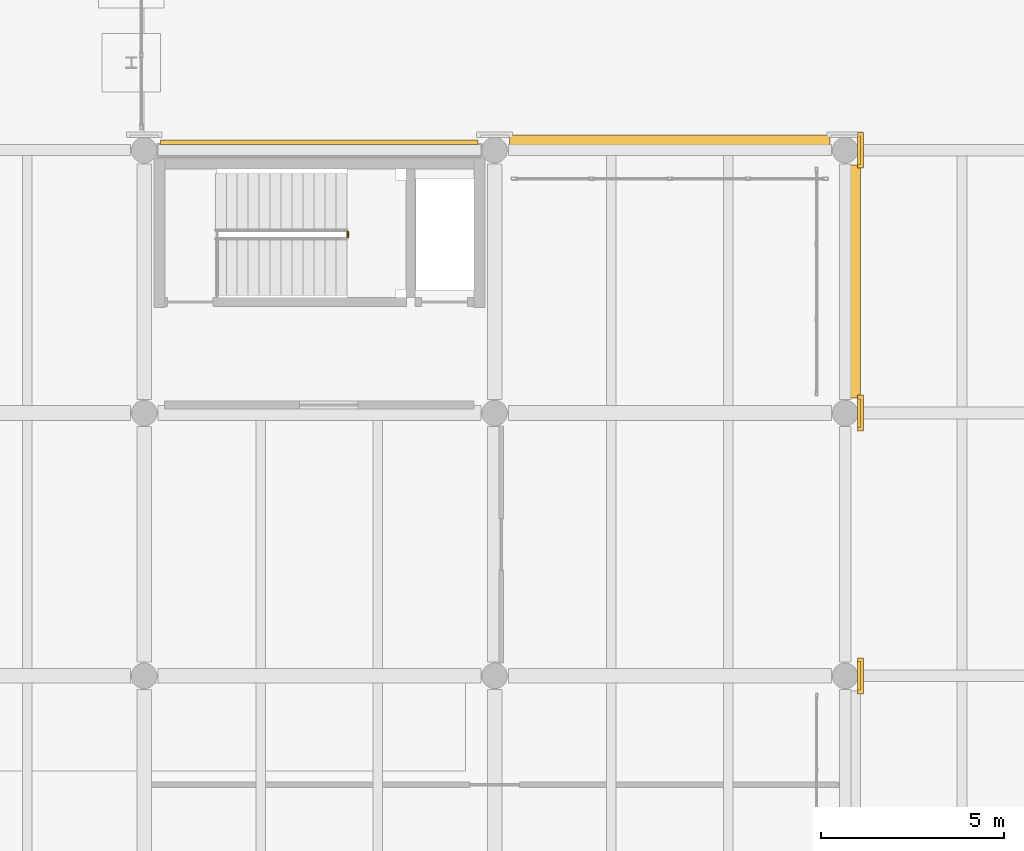
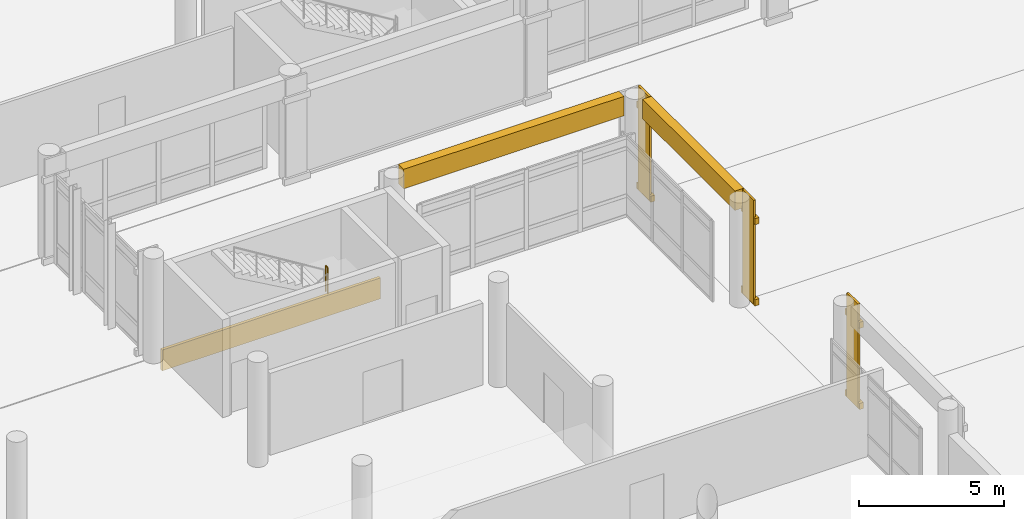
# One storey, part 175 of 196: 12 coverings, 1 railing.
"""IFC4 building model written with IfcOpenShell, lengths in metres."""

import ifcopenshell
import ifcopenshell.guid

model = None  # the IFC model being written
_history = None  # IfcOwnerHistory: only IFC2X3 demands one
_inside = {}  # id of a spatial element -> (the spatial element, [elements in it])
_under = {}  # id of a project, library or spatial element -> (it, [spatial elements below it])
_declared = {}  # id of a project -> (the project, [libraries it declares])
_typed = {}  # id of a type object -> (the type object, [elements of that type])
_made_of = {}  # id of a material, layer set ... -> (it, [elements and type objects made of it])


def new_model(schema):
    """Start an empty IFC model of exactly this schema.

    Asked for "IFC4X3", IfcOpenShell would pick the latest addendum, in which some entities
    have other attributes; the version numbers below select the first issue.
    IFC2X3 requires an IfcOwnerHistory on every rooted entity: one is made here for all.
    """
    global model, _history
    if schema == "IFC4X3":
        model = ifcopenshell.file(schema_version=(4, 3, 0, 0))
    else:
        model = ifcopenshell.file(schema=schema)
    _inside.clear()
    _under.clear()
    _declared.clear()
    _typed.clear()
    _made_of.clear()
    _history = None
    if model.schema == "IFC2X3":
        org = make("IfcOrganization", Name="unknown")
        user = make(
            "IfcPersonAndOrganization",
            ThePerson=make("IfcPerson", FamilyName="unknown"),
            TheOrganization=org,
        )
        app = make(
            "IfcApplication",
            ApplicationDeveloper=org,
            Version="unknown",
            ApplicationFullName="unknown",
            ApplicationIdentifier="unknown",
        )
        _history = make(
            "IfcOwnerHistory",
            OwningUser=user,
            OwningApplication=app,
            ChangeAction="ADDED",
            CreationDate=0,
        )
    return model


def make(cls, **values):
    """One entity of the class cls with the attributes given. An attribute that is None is left unset."""
    return model.create_entity(
        cls, **{name: value for name, value in values.items() if value is not None}
    )


def rooted(cls, **values):
    """An entity with a GlobalId (a new one), such as an element, a storey or a relation."""
    return make(cls, GlobalId=ifcopenshell.guid.new(), OwnerHistory=_history, **values)


def si_unit(unit_type, name, prefix=None):
    """IfcSIUnit, for example si_unit("LENGTHUNIT", "METRE", prefix="MILLI")."""
    return make("IfcSIUnit", UnitType=unit_type, Prefix=prefix, Name=name)


def assignment(units):
    """IfcUnitAssignment: the units of a project."""
    return None if units is None else make("IfcUnitAssignment", Units=units)


def point(xyz):
    """IfcCartesianPoint."""
    return None if xyz is None else make("IfcCartesianPoint", Coordinates=xyz)


def direction(xyz):
    """IfcDirection."""
    return None if xyz is None else make("IfcDirection", DirectionRatios=xyz)


def frame(location, z_axis=None, x_axis=None):
    """IfcAxis2Placement3D, a coordinate frame: its origin and axes. An axis left out is left unset."""
    return make(
        "IfcAxis2Placement3D",
        Location=point(location),
        Axis=direction(z_axis),
        RefDirection=direction(x_axis),
    )


def frame_2d(location, x_axis=None):
    """IfcAxis2Placement2D, a coordinate frame in the plane: its origin and x axis."""
    return make(
        "IfcAxis2Placement2D", Location=point(location), RefDirection=direction(x_axis)
    )


def origin():
    """The frame at (0, 0, 0) with its axes left unset."""
    return frame((0.0, 0.0, 0.0))


def origin_2d():
    """The frame at (0, 0) in the plane with its x axis left unset."""
    return frame_2d((0.0, 0.0))


def place(relative_to, where):
    """IfcLocalPlacement: puts the frame where relative to a parent placement (None: the world)."""
    return make(
        "IfcLocalPlacement", PlacementRelTo=relative_to, RelativePlacement=where
    )


def context(
    kind, dimensions, precision=None, world=None, true_north=None, identifier=None
):
    """IfcGeometricRepresentationContext, for example the 3D "Model" context."""
    return make(
        "IfcGeometricRepresentationContext",
        ContextIdentifier=identifier,
        ContextType=kind,
        CoordinateSpaceDimension=dimensions,
        Precision=precision,
        WorldCoordinateSystem=world,
        TrueNorth=true_north,
    )


def subcontext(parent, identifier, kind, view, scale=None):
    """IfcGeometricRepresentationSubContext, for example "Body" below "Model"."""
    return make(
        "IfcGeometricRepresentationSubContext",
        ContextIdentifier=identifier,
        ContextType=kind,
        ParentContext=parent,
        TargetScale=scale,
        TargetView=view,
    )


def project(units=None, contexts=None):
    """IfcProject with its units and contexts."""
    return rooted(
        "IfcProject",
        Name="project",
        RepresentationContexts=contexts,
        UnitsInContext=assignment(units),
    )


def spatial(cls, under=None, at=None, **own):
    """A site, building, storey or space (cls), placed at a placement, below another one or the project."""
    s = rooted(cls, ObjectPlacement=at, **own)
    if under is not None:
        _under.setdefault(under.id(), (under, []))[1].append(s)
    return s


def profile(cls, at=None, kind="AREA", **sizes):
    """A parametric profile (cls). Its sizes go by their IFC names, for example OverallWidth=200.0."""
    return make(cls, ProfileType=kind, Position=at, **sizes)


def rectangle(**sizes):
    """IfcRectangleProfileDef."""
    return profile("IfcRectangleProfileDef", **sizes)


def circle(**sizes):
    """IfcCircleProfileDef."""
    return profile("IfcCircleProfileDef", **sizes)


def extrude(swept, where, along, depth):
    """IfcExtrudedAreaSolid: the profile swept, set in the frame where, extruded along a direction by depth."""
    return make(
        "IfcExtrudedAreaSolid",
        SweptArea=swept,
        Position=where,
        ExtrudedDirection=direction(along),
        Depth=depth,
    )


def shape(context_of_items, identifier, shape_type, items):
    """IfcShapeRepresentation: the items that make up one representation, for example the "Body"."""
    return make(
        "IfcShapeRepresentation",
        ContextOfItems=context_of_items,
        RepresentationIdentifier=identifier,
        RepresentationType=shape_type,
        Items=items,
    )


def material(Name=None, Category=None):
    """IfcMaterial."""
    return make("IfcMaterial", Name=Name, Category=Category)


def layer(
    of_material, thickness, ventilated=None, Name=None, Category=None, Priority=None
):
    """IfcMaterialLayer: one layer of a wall or slab, of a material (None: an air gap)."""
    return make(
        "IfcMaterialLayer",
        Material=of_material,
        LayerThickness=thickness,
        IsVentilated=ventilated,
        Name=Name,
        Category=Category,
        Priority=Priority,
    )


def layer_set(layers, Name=None):
    """IfcMaterialLayerSet."""
    return make("IfcMaterialLayerSet", MaterialLayers=layers, LayerSetName=Name)


def made_of(thing, what):
    """Note that an element or type object is made of a material, layer set ...; save() writes the relation."""
    if what is not None:
        _made_of.setdefault(what.id(), (what, []))[1].append(thing)
    return thing


def type_object(cls, material=None, **own):
    """A type object (cls), such as IfcWallType, which elements share."""
    return made_of(rooted(cls, **own), material)


def element(
    cls,
    number,
    at=None,
    inside=None,
    cuts=None,
    type_object=None,
    material=None,
    context=None,
    identifier="Body",
    shape_type=None,
    held_by="IfcProductDefinitionShape",
    body=None,
    shapes=None,
    **own,
):
    """One element of the class cls, such as IfcWall. Its Tag is "e" and its number.

    at: its placement. inside: the storey or other place that contains it. cuts: it is an
    opening in that element (IfcRelVoidsElement). A single representation is given by context,
    identifier, shape_type and body (its items); several are given by shapes. held_by: the class
    of the entity that holds the representations. save() writes the other relations.
    """
    e = rooted(cls, Tag="e%d" % number, ObjectPlacement=at, **own)
    if body is not None:
        shapes = [shape(context, identifier, shape_type, body)]
    if shapes is not None:
        e.Representation = make(held_by, Representations=shapes)
    if inside is not None:
        _inside.setdefault(inside.id(), (inside, []))[1].append(e)
    if cuts is not None:
        rooted(
            "IfcRelVoidsElement", RelatingBuildingElement=cuts, RelatedOpeningElement=e
        )
    if type_object is not None:
        _typed.setdefault(type_object.id(), (type_object, []))[1].append(e)
    return made_of(e, material)


def aggregate(whole, parts):
    """IfcRelAggregates: a whole, such as a stair, and the parts it consists of."""
    return rooted("IfcRelAggregates", RelatingObject=whole, RelatedObjects=parts)


def save(model, path):
    """Write the relations noted so far, then the file.

    IfcRelAggregates (storeys below a building ...), IfcRelContainedInSpatialStructure (elements
    in a storey), IfcRelDefinesByType, IfcRelAssociatesMaterial and IfcRelDeclares: one each for
    every whole, place, type object, material and project.
    """
    for whole, parts in _under.values():
        aggregate(whole, parts)
    for where, things in _inside.values():
        rooted(
            "IfcRelContainedInSpatialStructure",
            RelatedElements=things,
            RelatingStructure=where,
        )
    for kind, things in _typed.values():
        rooted("IfcRelDefinesByType", RelatedObjects=things, RelatingType=kind)
    for what, things in _made_of.values():
        rooted("IfcRelAssociatesMaterial", RelatedObjects=things, RelatingMaterial=what)
    for by, libraries in _declared.values():
        rooted("IfcRelDeclares", RelatingContext=by, RelatedDefinitions=libraries)
    model.write(path)


model = new_model("IFC4")

# Units and contexts
model_context = context("Model", 3, precision=1e-05, world=origin(), true_north=direction((0.0, 1.0)))
body_context = subcontext(model_context, "Body", "Model", "MODEL_VIEW")
ifc_project = project(units=[si_unit("LENGTHUNIT", "METRE"), si_unit("AREAUNIT", "SQUARE_METRE"), si_unit("VOLUMEUNIT", "CUBIC_METRE"), si_unit("PLANEANGLEUNIT", "RADIAN"), si_unit("MASSUNIT", "GRAM", prefix="KILO")], contexts=[model_context])

# Site, building, storey
site_placement = place(None, origin())
site = spatial("IfcSite", under=ifc_project, at=site_placement, CompositionType="ELEMENT")
building_placement = place(site_placement, origin())
building = spatial("IfcBuilding", under=site, at=building_placement, Name="Asteropetra Specialist Clinic", CompositionType="ELEMENT")
storey_placement = place(building_placement, origin())
storey = spatial("IfcBuildingStorey", under=building, at=storey_placement, Name="L00", CompositionType="ELEMENT", Elevation=0.0)

# Coverings
ifc_material_1 = material(Name="Pentelic marble ashlar", Category="masonry")
ifc_layer = layer(ifc_material_1, 0.159912109375)
ifc_layer_set = layer_set([ifc_layer], Name="Pentelic marble ashlar")
covering_type = type_object("IfcCoveringType", Name="CRN-ENTAB-600", PredefinedType="MOLDING", material=ifc_layer_set)
covering_1_placement = place(storey_placement, frame((43.199951171875, 62.639892578125, 3.58984375), z_axis=(0.0, 0.0, 1.0), x_axis=(1.0, 0.0, 0.0)))
element("IfcCovering", 1, at=covering_1_placement, inside=storey, type_object=covering_type, Name="Stoa Classical Entablature SE-0030", PredefinedType="MOLDING", context=body_context, shape_type="SweptSolid", body=[
    extrude(rectangle(XDim=8.780029296875, YDim=0.360107421875, at=origin_2d()), origin(), (0.0, 0.0, 1.0), 0.820068359375),
])
covering_2_placement = place(storey_placement, frame((48.239990234375, 58.800048828125, 3.58984375), z_axis=(0.0, 0.0, 1.0), x_axis=(1.0, 0.0, 0.0)))
element("IfcCovering", 2, at=covering_2_placement, inside=storey, type_object=covering_type, Name="Stoa Classical Entablature SE-0034", PredefinedType="MOLDING", context=body_context, shape_type="SweptSolid", body=[
    extrude(rectangle(XDim=0.360107421875, YDim=6.3798828125, at=origin_2d()), origin(), (0.0, 0.0, 1.0), 0.820068359375),
])
covering_3_placement = place(storey_placement, frame((48.382080078125, 48.0, 0.02001953125), z_axis=(0.0, 0.0, 1.0), x_axis=(1.0, 0.0, 0.0)))
element("IfcCovering", 3, at=covering_3_placement, inside=storey, type_object=covering_type, Name="Neoclassical Pilaster Facing CM-0799", PredefinedType="MOLDING", context=body_context, shape_type="SweptSolid", body=[
    extrude(rectangle(XDim=0.080078125, YDim=0.780029296875, at=origin_2d()), origin(), (0.0, 0.0, 1.0), 4.3798828125),
])
for number, where, z_axis, x_axis, name in (
    (4, (48.422119140625, 48.0, 0.009765625), (0.0, 0.0, 1.0), (1.0, 0.0, 0.0), "Doric Base CC-0800"),
    (5, (48.422119140625, 48.0, 3.43017578125), (0.0, 0.0, 1.0), (1.0, 0.0, 0.0), "Doric Capital CC-0801"),
):
    element("IfcCovering", number, at=place(storey_placement, frame(where, z_axis=z_axis, x_axis=x_axis)), inside=storey, type_object=covering_type, Name=name, PredefinedType="MOLDING", context=body_context, shape_type="SweptSolid", body=[
        extrude(rectangle(XDim=0.159912109375, YDim=0.97998046875, at=origin_2d()), origin(), (0.0, 0.0, 1.0), 0.260009765625),
    ])
covering_4_placement = place(storey_placement, frame((48.382080078125, 55.199951171875, 0.02001953125), z_axis=(0.0, 0.0, 1.0), x_axis=(1.0, 0.0, 0.0)))
element("IfcCovering", 6, at=covering_4_placement, inside=storey, type_object=covering_type, Name="Neoclassical Pilaster Facing CM-0802", PredefinedType="MOLDING", context=body_context, shape_type="SweptSolid", body=[
    extrude(rectangle(XDim=0.080078125, YDim=0.780029296875, at=origin_2d()), origin(), (0.0, 0.0, 1.0), 4.3798828125),
])
for number, where, z_axis, x_axis, name in (
    (7, (48.422119140625, 55.199951171875, 0.009765625), (0.0, 0.0, 1.0), (1.0, 0.0, 0.0), "Doric Base CC-0803"),
    (8, (48.422119140625, 55.199951171875, 3.43017578125), (0.0, 0.0, 1.0), (1.0, 0.0, 0.0), "Doric Capital CC-0804"),
):
    element("IfcCovering", number, at=place(storey_placement, frame(where, z_axis=z_axis, x_axis=x_axis)), inside=storey, type_object=covering_type, Name=name, PredefinedType="MOLDING", context=body_context, shape_type="SweptSolid", body=[
        extrude(rectangle(XDim=0.159912109375, YDim=0.97998046875, at=origin_2d()), origin(), (0.0, 0.0, 1.0), 0.260009765625),
    ])
covering_5_placement = place(storey_placement, frame((48.382080078125, 62.39990234375, 0.02001953125), z_axis=(0.0, 0.0, 1.0), x_axis=(1.0, 0.0, 0.0)))
element("IfcCovering", 9, at=covering_5_placement, inside=storey, type_object=covering_type, Name="Neoclassical Pilaster Facing CM-0808", PredefinedType="MOLDING", context=body_context, shape_type="SweptSolid", body=[
    extrude(rectangle(XDim=0.080078125, YDim=0.780029296875, at=origin_2d()), origin(), (0.0, 0.0, 1.0), 4.3798828125),
])
for number, where, z_axis, x_axis, name in (
    (10, (48.422119140625, 62.39990234375, 0.009765625), (0.0, 0.0, 1.0), (1.0, 0.0, 0.0), "Doric Base CC-0809"),
    (11, (48.422119140625, 62.39990234375, 3.43017578125), (0.0, 0.0, 1.0), (1.0, 0.0, 0.0), "Doric Capital CC-0810"),
):
    element("IfcCovering", number, at=place(storey_placement, frame(where, z_axis=z_axis, x_axis=x_axis)), inside=storey, type_object=covering_type, Name=name, PredefinedType="MOLDING", context=body_context, shape_type="SweptSolid", body=[
        extrude(rectangle(XDim=0.159912109375, YDim=0.97998046875, at=origin_2d()), origin(), (0.0, 0.0, 1.0), 0.260009765625),
    ])
covering_6_placement = place(storey_placement, frame((33.60009765625, 62.6201171875, -0.800048828125), z_axis=(0.0, 0.0, 1.0), x_axis=(1.0, 0.0, 0.0)))
element("IfcCovering", 12, at=covering_6_placement, inside=storey, type_object=covering_type, Name="Chevron Spandrel Band CV-1842", PredefinedType="MOLDING", context=body_context, shape_type="SweptSolid", body=[
    extrude(rectangle(XDim=8.699951171875, YDim=0.1201171875, at=origin_2d()), origin(), (0.0, 0.0, 1.0), 0.8798828125),
])

# Railing
ifc_material_2 = material(Name="Steel S355 and laminated glass guard", Category="steel")
railing_type = type_object("IfcRailingType", Name="GRD-INT-1120", PredefinedType="GUARDRAIL", material=ifc_material_2)
railing_placement = place(storey_placement, frame((34.3798828125, 60.02001953125, 2.2099609375)))
element("IfcRailing", 13, at=railing_placement, inside=storey, type_object=railing_type, Name="Landing Slot Guard ST05-L00", PredefinedType="GUARDRAIL", context=body_context, shape_type="SweptSolid", body=[
    extrude(circle(Radius=0.02392578125, at=origin_2d()), frame((0.0, 0.0, 1.09619140625), z_axis=(0.0, 1.0, 0.0), x_axis=(-1.0, 0.0, 0.0)), (0.0, 0.0, 1.0), 0.139892578125),
    extrude(circle(Radius=0.02099609375, at=origin_2d()), origin(), (0.0, 0.0, 1.0), 1.072021484375),
    extrude(circle(Radius=0.02099609375, at=origin_2d()), frame((0.0, 0.139892578125, 0.0)), (0.0, 0.0, 1.0), 1.072021484375),
])

save(model, "model.ifc")
